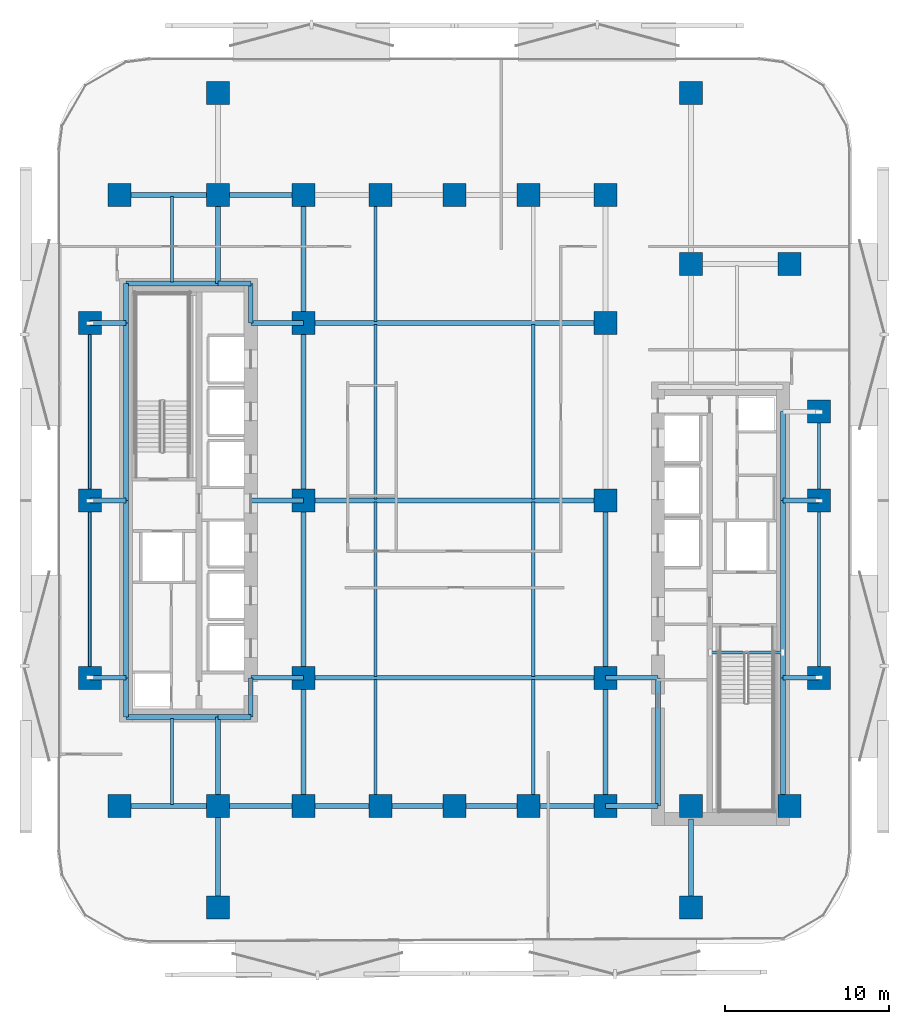
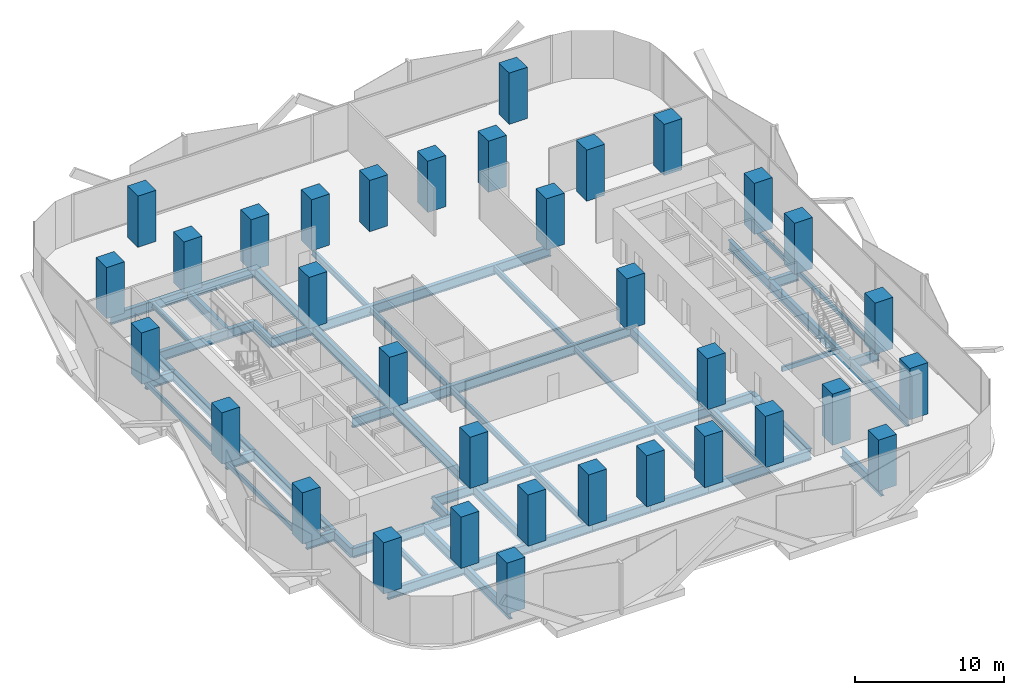
# One storey, part 1 of 15: 59 beams, 34 columns.
"""IFC4 building model written with IfcOpenShell, lengths in metres."""

import ifcopenshell
import ifcopenshell.guid

model = None  # the IFC model being written
_history = None  # IfcOwnerHistory: only IFC2X3 demands one
_inside = {}  # id of a spatial element -> (the spatial element, [elements in it])
_under = {}  # id of a project, library or spatial element -> (it, [spatial elements below it])
_declared = {}  # id of a project -> (the project, [libraries it declares])
_typed = {}  # id of a type object -> (the type object, [elements of that type])
_made_of = {}  # id of a material, layer set ... -> (it, [elements and type objects made of it])


def new_model(schema):
    """Start an empty IFC model of exactly this schema.

    Asked for "IFC4X3", IfcOpenShell would pick the latest addendum, in which some entities
    have other attributes; the version numbers below select the first issue.
    IFC2X3 requires an IfcOwnerHistory on every rooted entity: one is made here for all.
    """
    global model, _history
    if schema == "IFC4X3":
        model = ifcopenshell.file(schema_version=(4, 3, 0, 0))
    else:
        model = ifcopenshell.file(schema=schema)
    _inside.clear()
    _under.clear()
    _declared.clear()
    _typed.clear()
    _made_of.clear()
    _history = None
    if model.schema == "IFC2X3":
        org = make("IfcOrganization", Name="unknown")
        user = make(
            "IfcPersonAndOrganization",
            ThePerson=make("IfcPerson", FamilyName="unknown"),
            TheOrganization=org,
        )
        app = make(
            "IfcApplication",
            ApplicationDeveloper=org,
            Version="unknown",
            ApplicationFullName="unknown",
            ApplicationIdentifier="unknown",
        )
        _history = make(
            "IfcOwnerHistory",
            OwningUser=user,
            OwningApplication=app,
            ChangeAction="ADDED",
            CreationDate=0,
        )
    return model


def make(cls, **values):
    """One entity of the class cls with the attributes given. An attribute that is None is left unset."""
    return model.create_entity(
        cls, **{name: value for name, value in values.items() if value is not None}
    )


def rooted(cls, **values):
    """An entity with a GlobalId (a new one), such as an element, a storey or a relation."""
    return make(cls, GlobalId=ifcopenshell.guid.new(), OwnerHistory=_history, **values)


def si_unit(unit_type, name, prefix=None):
    """IfcSIUnit, for example si_unit("LENGTHUNIT", "METRE", prefix="MILLI")."""
    return make("IfcSIUnit", UnitType=unit_type, Prefix=prefix, Name=name)


def assignment(units):
    """IfcUnitAssignment: the units of a project."""
    return None if units is None else make("IfcUnitAssignment", Units=units)


def point(xyz):
    """IfcCartesianPoint."""
    return None if xyz is None else make("IfcCartesianPoint", Coordinates=xyz)


def direction(xyz):
    """IfcDirection."""
    return None if xyz is None else make("IfcDirection", DirectionRatios=xyz)


def frame(location, z_axis=None, x_axis=None):
    """IfcAxis2Placement3D, a coordinate frame: its origin and axes. An axis left out is left unset."""
    return make(
        "IfcAxis2Placement3D",
        Location=point(location),
        Axis=direction(z_axis),
        RefDirection=direction(x_axis),
    )


def frame_2d(location, x_axis=None):
    """IfcAxis2Placement2D, a coordinate frame in the plane: its origin and x axis."""
    return make(
        "IfcAxis2Placement2D", Location=point(location), RefDirection=direction(x_axis)
    )


def origin():
    """The frame at (0, 0, 0) with its axes left unset."""
    return frame((0.0, 0.0, 0.0))


def origin_2d():
    """The frame at (0, 0) in the plane with its x axis left unset."""
    return frame_2d((0.0, 0.0))


def place(relative_to, where):
    """IfcLocalPlacement: puts the frame where relative to a parent placement (None: the world)."""
    return make(
        "IfcLocalPlacement", PlacementRelTo=relative_to, RelativePlacement=where
    )


def context(
    kind, dimensions, precision=None, world=None, true_north=None, identifier=None
):
    """IfcGeometricRepresentationContext, for example the 3D "Model" context."""
    return make(
        "IfcGeometricRepresentationContext",
        ContextIdentifier=identifier,
        ContextType=kind,
        CoordinateSpaceDimension=dimensions,
        Precision=precision,
        WorldCoordinateSystem=world,
        TrueNorth=true_north,
    )


def subcontext(parent, identifier, kind, view, scale=None):
    """IfcGeometricRepresentationSubContext, for example "Body" below "Model"."""
    return make(
        "IfcGeometricRepresentationSubContext",
        ContextIdentifier=identifier,
        ContextType=kind,
        ParentContext=parent,
        TargetScale=scale,
        TargetView=view,
    )


def project(units=None, contexts=None):
    """IfcProject with its units and contexts."""
    return rooted(
        "IfcProject",
        Name="project",
        RepresentationContexts=contexts,
        UnitsInContext=assignment(units),
    )


def spatial(cls, under=None, at=None, **own):
    """A site, building, storey or space (cls), placed at a placement, below another one or the project."""
    s = rooted(cls, ObjectPlacement=at, **own)
    if under is not None:
        _under.setdefault(under.id(), (under, []))[1].append(s)
    return s


def profile(cls, at=None, kind="AREA", **sizes):
    """A parametric profile (cls). Its sizes go by their IFC names, for example OverallWidth=200.0."""
    return make(cls, ProfileType=kind, Position=at, **sizes)


def rectangle(**sizes):
    """IfcRectangleProfileDef."""
    return profile("IfcRectangleProfileDef", **sizes)


def hollow_rectangle(**sizes):
    """IfcRectangleHollowProfileDef."""
    return profile("IfcRectangleHollowProfileDef", **sizes)


def i_section(**sizes):
    """IfcIShapeProfileDef."""
    return profile("IfcIShapeProfileDef", **sizes)


def extrude(swept, where, along, depth):
    """IfcExtrudedAreaSolid: the profile swept, set in the frame where, extruded along a direction by depth."""
    return make(
        "IfcExtrudedAreaSolid",
        SweptArea=swept,
        Position=where,
        ExtrudedDirection=direction(along),
        Depth=depth,
    )


def shape(context_of_items, identifier, shape_type, items):
    """IfcShapeRepresentation: the items that make up one representation, for example the "Body"."""
    return make(
        "IfcShapeRepresentation",
        ContextOfItems=context_of_items,
        RepresentationIdentifier=identifier,
        RepresentationType=shape_type,
        Items=items,
    )


def material(Name=None, Category=None):
    """IfcMaterial."""
    return make("IfcMaterial", Name=Name, Category=Category)


def material_profile(
    of_material, cross_section, Name=None, Category=None, Priority=None
):
    """IfcMaterialProfile: a cross section and its material."""
    return make(
        "IfcMaterialProfile",
        Name=Name,
        Material=of_material,
        Profile=cross_section,
        Priority=Priority,
        Category=Category,
    )


def profile_set(profiles, Name=None, composite=None):
    """IfcMaterialProfileSet."""
    return make(
        "IfcMaterialProfileSet",
        Name=Name,
        MaterialProfiles=profiles,
        CompositeProfile=composite,
    )


def made_of(thing, what):
    """Note that an element or type object is made of a material, layer set ...; save() writes the relation."""
    if what is not None:
        _made_of.setdefault(what.id(), (what, []))[1].append(thing)
    return thing


def type_object(cls, material=None, **own):
    """A type object (cls), such as IfcWallType, which elements share."""
    return made_of(rooted(cls, **own), material)


def element(
    cls,
    number,
    at=None,
    inside=None,
    cuts=None,
    type_object=None,
    material=None,
    context=None,
    identifier="Body",
    shape_type=None,
    held_by="IfcProductDefinitionShape",
    body=None,
    shapes=None,
    **own,
):
    """One element of the class cls, such as IfcWall. Its Tag is "e" and its number.

    at: its placement. inside: the storey or other place that contains it. cuts: it is an
    opening in that element (IfcRelVoidsElement). A single representation is given by context,
    identifier, shape_type and body (its items); several are given by shapes. held_by: the class
    of the entity that holds the representations. save() writes the other relations.
    """
    e = rooted(cls, Tag="e%d" % number, ObjectPlacement=at, **own)
    if body is not None:
        shapes = [shape(context, identifier, shape_type, body)]
    if shapes is not None:
        e.Representation = make(held_by, Representations=shapes)
    if inside is not None:
        _inside.setdefault(inside.id(), (inside, []))[1].append(e)
    if cuts is not None:
        rooted(
            "IfcRelVoidsElement", RelatingBuildingElement=cuts, RelatedOpeningElement=e
        )
    if type_object is not None:
        _typed.setdefault(type_object.id(), (type_object, []))[1].append(e)
    return made_of(e, material)


def aggregate(whole, parts):
    """IfcRelAggregates: a whole, such as a stair, and the parts it consists of."""
    return rooted("IfcRelAggregates", RelatingObject=whole, RelatedObjects=parts)


def save(model, path):
    """Write the relations noted so far, then the file.

    IfcRelAggregates (storeys below a building ...), IfcRelContainedInSpatialStructure (elements
    in a storey), IfcRelDefinesByType, IfcRelAssociatesMaterial and IfcRelDeclares: one each for
    every whole, place, type object, material and project.
    """
    for whole, parts in _under.values():
        aggregate(whole, parts)
    for where, things in _inside.values():
        rooted(
            "IfcRelContainedInSpatialStructure",
            RelatedElements=things,
            RelatingStructure=where,
        )
    for kind, things in _typed.values():
        rooted("IfcRelDefinesByType", RelatedObjects=things, RelatingType=kind)
    for what, things in _made_of.values():
        rooted("IfcRelAssociatesMaterial", RelatedObjects=things, RelatingMaterial=what)
    for by, libraries in _declared.values():
        rooted("IfcRelDeclares", RelatingContext=by, RelatedDefinitions=libraries)
    model.write(path)


model = new_model("IFC4")

# Units and contexts
model_context = context("Model", 3, precision=1e-05, world=origin(), true_north=direction((0.0, 1.0)))
body_context = subcontext(model_context, "Body", "Model", "MODEL_VIEW")
ifc_project = project(units=[si_unit("LENGTHUNIT", "METRE"), si_unit("AREAUNIT", "SQUARE_METRE"), si_unit("VOLUMEUNIT", "CUBIC_METRE"), si_unit("PLANEANGLEUNIT", "RADIAN"), si_unit("MASSUNIT", "GRAM", prefix="KILO")], contexts=[model_context])

# Site, building, storey
site_placement = place(None, origin())
site = spatial("IfcSite", under=ifc_project, at=site_placement, CompositionType="ELEMENT")
building_placement = place(site_placement, origin())
building = spatial("IfcBuilding", under=site, at=building_placement, Name="Khairoan Windgate Tower", CompositionType="ELEMENT")
storey_placement = place(building_placement, frame((0.0, 0.0, 34.39990234375)))
storey = spatial("IfcBuildingStorey", under=building, at=storey_placement, Name="L08", CompositionType="ELEMENT", Elevation=34.39990234375)

# Columns
ifc_material_1 = material(Name="Concrete C60/75", Category="concrete")
ifc_material_profile_1 = material_profile(ifc_material_1, rectangle(XDim=1.39990234375, YDim=1.39990234375, at=origin_2d()))
ifc_profile_set_1 = profile_set([ifc_material_profile_1], Name="Concrete C60/75")
column_type = type_object("IfcColumnType", Name="Column C-T2 RC1400x1400", PredefinedType="COLUMN", material=ifc_profile_set_1)
for number, where, z_axis, x_axis, name in (
    (1, (-9.199951171875, -18.60009765625, 0.0), (0.0, 0.0, 1.0), (1.0, 0.0, 0.0), "Column L08-01"),
    (2, (-9.199951171875, -10.800048828125, 0.0), (0.0, 0.0, 1.0), (1.0, 0.0, 0.0), "Column L08-02"),
    (3, (-9.199951171875, 0.0, 0.0), (0.0, 0.0, 1.0), (1.0, 0.0, 0.0), "Column L08-03"),
    (4, (-9.199951171875, 10.800048828125, 0.0), (0.0, 0.0, 1.0), (1.0, 0.0, 0.0), "Column L08-04"),
    (5, (-9.199951171875, 18.60009765625, 0.0), (0.0, 0.0, 1.0), (1.0, 0.0, 0.0), "Column L08-05"),
    (6, (9.199951171875, -18.60009765625, 0.0), (0.0, 0.0, 1.0), (1.0, 0.0, 0.0), "Column L08-06"),
    (7, (9.199951171875, -10.800048828125, 0.0), (0.0, 0.0, 1.0), (1.0, 0.0, 0.0), "Column L08-07"),
    (8, (9.199951171875, 0.0, 0.0), (0.0, 0.0, 1.0), (1.0, 0.0, 0.0), "Column L08-08"),
    (9, (9.199951171875, 10.800048828125, 0.0), (0.0, 0.0, 1.0), (1.0, 0.0, 0.0), "Column L08-09"),
    (10, (9.199951171875, 18.60009765625, 0.0), (0.0, 0.0, 1.0), (1.0, 0.0, 0.0), "Column L08-10"),
    (11, (-20.39990234375, -18.60009765625, 0.0), (0.0, 0.0, 1.0), (1.0, 0.0, 0.0), "Column L08-11"),
    (12, (-20.39990234375, 18.60009765625, 0.0), (0.0, 0.0, 1.0), (1.0, 0.0, 0.0), "Column L08-12"),
    (13, (20.39990234375, -18.60009765625, 0.0), (0.0, 0.0, 1.0), (1.0, 0.0, 0.0), "Column L08-13"),
    (14, (20.39990234375, 14.39990234375, 0.0), (0.0, 0.0, 1.0), (1.0, 0.0, 0.0), "Column L08-14"),
    (15, (-14.39990234375, -18.60009765625, 0.0), (0.0, 0.0, 1.0), (1.0, 0.0, 0.0), "Column L08-15"),
    (16, (-14.39990234375, 18.60009765625, 0.0), (0.0, 0.0, 1.0), (1.0, 0.0, 0.0), "Column L08-16"),
    (17, (14.39990234375, -18.60009765625, 0.0), (0.0, 0.0, 1.0), (1.0, 0.0, 0.0), "Column L08-17"),
    (18, (14.39990234375, 14.39990234375, 0.0), (0.0, 0.0, 1.0), (1.0, 0.0, 0.0), "Column L08-18"),
    (19, (-4.5, -18.60009765625, 0.0), (0.0, 0.0, 1.0), (1.0, 0.0, 0.0), "Column L08-19"),
    (20, (0.0, -18.60009765625, 0.0), (0.0, 0.0, 1.0), (1.0, 0.0, 0.0), "Column L08-20"),
    (21, (4.5, -18.60009765625, 0.0), (0.0, 0.0, 1.0), (1.0, 0.0, 0.0), "Column L08-21"),
    (22, (-4.5, 18.60009765625, 0.0), (0.0, 0.0, 1.0), (1.0, 0.0, 0.0), "Column L08-22"),
    (23, (0.0, 18.60009765625, 0.0), (0.0, 0.0, 1.0), (1.0, 0.0, 0.0), "Column L08-23"),
    (24, (4.5, 18.60009765625, 0.0), (0.0, 0.0, 1.0), (1.0, 0.0, 0.0), "Column L08-24"),
    (25, (-22.199951171875, -10.800048828125, 0.0), (0.0, 0.0, 1.0), (1.0, 0.0, 0.0), "Column L08-25"),
    (26, (-22.199951171875, 0.0, 0.0), (0.0, 0.0, 1.0), (1.0, 0.0, 0.0), "Column L08-26"),
    (27, (-22.199951171875, 10.800048828125, 0.0), (0.0, 0.0, 1.0), (1.0, 0.0, 0.0), "Column L08-27"),
    (28, (22.199951171875, -10.800048828125, 0.0), (0.0, 0.0, 1.0), (1.0, 0.0, 0.0), "Column L08-28"),
    (29, (22.199951171875, 0.0, 0.0), (0.0, 0.0, 1.0), (1.0, 0.0, 0.0), "Column L08-29"),
    (30, (22.199951171875, 5.39990234375, 0.0), (0.0, 0.0, 1.0), (1.0, 0.0, 0.0), "Column L08-30"),
    (31, (-14.39990234375, -24.800048828125, 0.0), (0.0, 0.0, 1.0), (1.0, 0.0, 0.0), "Column L08-31"),
    (32, (-14.39990234375, 24.800048828125, 0.0), (0.0, 0.0, 1.0), (1.0, 0.0, 0.0), "Column L08-32"),
    (33, (14.39990234375, -24.800048828125, 0.0), (0.0, 0.0, 1.0), (1.0, 0.0, 0.0), "Column L08-33"),
    (34, (14.39990234375, 24.800048828125, 0.0), (0.0, 0.0, 1.0), (1.0, 0.0, 0.0), "Column L08-34"),
):
    element("IfcColumn", number, at=place(storey_placement, frame(where, z_axis=z_axis, x_axis=x_axis)), inside=storey, type_object=column_type, Name=name, PredefinedType="COLUMN", context=body_context, shape_type="SweptSolid", body=[
        extrude(rectangle(XDim=1.39990234375, YDim=1.39990234375, at=origin_2d()), origin(), (0.0, 0.0, 1.0), 4.2001953125),
    ])

# Beams
ifc_material_2 = material(Name="Steel S355", Category="steel")
ifc_material_profile_2 = material_profile(ifc_material_2, i_section(OverallWidth=0.300048828125, OverallDepth=0.800048828125, WebThickness=0.013916015625, FlangeThickness=0.02587890625, FilletRadius=0.028076171875, at=origin_2d()))
ifc_profile_set_2 = profile_set([ifc_material_profile_2], Name="Steel S355")
beam_type_1 = type_object("IfcBeamType", Name="Beam B-G2 H800x300x14x26", PredefinedType="BEAM", material=ifc_profile_set_2)
beam_1_placement = place(storey_placement, frame((-20.39990234375, -18.60009765625, -0.659912109375), z_axis=(1.0, 0.0, 0.0), x_axis=(0.0, 1.0, 0.0)))
element("IfcBeam", 35, at=beam_1_placement, inside=storey, type_object=beam_type_1, Name="L08 E-W Primary Girder 01", PredefinedType="BEAM", context=body_context, shape_type="SweptSolid", body=[
    extrude(i_section(OverallWidth=0.300048828125, OverallDepth=0.800048828125, WebThickness=0.013916015625, FlangeThickness=0.02587890625, FilletRadius=0.028076171875, at=origin_2d()), origin(), (0.0, 0.0, 1.0), 6.0),
])
beam_2_placement = place(storey_placement, frame((-14.39990234375, -18.60009765625, -0.659912109375), z_axis=(1.0, 0.0, 0.0), x_axis=(0.0, 1.0, 0.0)))
element("IfcBeam", 36, at=beam_2_placement, inside=storey, type_object=beam_type_1, Name="L08 E-W Primary Girder 02", PredefinedType="BEAM", context=body_context, shape_type="SweptSolid", body=[
    extrude(i_section(OverallWidth=0.300048828125, OverallDepth=0.800048828125, WebThickness=0.013916015625, FlangeThickness=0.02587890625, FilletRadius=0.028076171875, at=origin_2d()), origin(), (0.0, 0.0, 1.0), 5.199951171875),
])
beam_3_placement = place(storey_placement, frame((-9.199951171875, -18.60009765625, -0.659912109375), z_axis=(1.0, 0.0, 0.0), x_axis=(0.0, 1.0, 0.0)))
element("IfcBeam", 37, at=beam_3_placement, inside=storey, type_object=beam_type_1, Name="L08 E-W Primary Girder 03", PredefinedType="BEAM", context=body_context, shape_type="SweptSolid", body=[
    extrude(i_section(OverallWidth=0.300048828125, OverallDepth=0.800048828125, WebThickness=0.013916015625, FlangeThickness=0.02587890625, FilletRadius=0.028076171875, at=origin_2d()), origin(), (0.0, 0.0, 1.0), 4.699951171875),
])
for number, where, z_axis, x_axis, name in (
    (38, (-4.5, -18.60009765625, -0.659912109375), (1.0, 0.0, 0.0), (0.0, 1.0, 0.0), "L08 E-W Primary Girder 04"),
    (39, (0.0, -18.60009765625, -0.659912109375), (1.0, 0.0, 0.0), (0.0, 1.0, 0.0), "L08 E-W Primary Girder 05"),
):
    element("IfcBeam", number, at=place(storey_placement, frame(where, z_axis=z_axis, x_axis=x_axis)), inside=storey, type_object=beam_type_1, Name=name, PredefinedType="BEAM", context=body_context, shape_type="SweptSolid", body=[
        extrude(i_section(OverallWidth=0.300048828125, OverallDepth=0.800048828125, WebThickness=0.013916015625, FlangeThickness=0.02587890625, FilletRadius=0.028076171875, at=origin_2d()), origin(), (0.0, 0.0, 1.0), 4.5),
    ])
beam_4_placement = place(storey_placement, frame((4.5, -18.60009765625, -0.659912109375), z_axis=(1.0, 0.0, 0.0), x_axis=(0.0, 1.0, 0.0)))
element("IfcBeam", 40, at=beam_4_placement, inside=storey, type_object=beam_type_1, Name="L08 E-W Primary Girder 06", PredefinedType="BEAM", context=body_context, shape_type="SweptSolid", body=[
    extrude(i_section(OverallWidth=0.300048828125, OverallDepth=0.800048828125, WebThickness=0.013916015625, FlangeThickness=0.02587890625, FilletRadius=0.028076171875, at=origin_2d()), origin(), (0.0, 0.0, 1.0), 4.699951171875),
])
beam_5_placement = place(storey_placement, frame((9.199951171875, -18.60009765625, -0.659912109375), z_axis=(1.0, 0.0, 0.0), x_axis=(0.0, 1.0, 0.0)))
element("IfcBeam", 41, at=beam_5_placement, inside=storey, type_object=beam_type_1, Name="L08 E-W Primary Girder 07", PredefinedType="BEAM", context=body_context, shape_type="SweptSolid", body=[
    extrude(i_section(OverallWidth=0.300048828125, OverallDepth=0.800048828125, WebThickness=0.013916015625, FlangeThickness=0.02587890625, FilletRadius=0.028076171875, at=origin_2d()), origin(), (0.0, 0.0, 1.0), 3.199951171875),
])
beam_6_placement = place(storey_placement, frame((-20.0, -13.199951171875, -0.659912109375), z_axis=(1.0, 0.0, 0.0), x_axis=(0.0, 1.0, 0.0)))
element("IfcBeam", 42, at=beam_6_placement, inside=storey, type_object=beam_type_1, Name="L08 E-W Primary Girder 08", PredefinedType="BEAM", context=body_context, shape_type="SweptSolid", body=[
    extrude(i_section(OverallWidth=0.300048828125, OverallDepth=0.800048828125, WebThickness=0.013916015625, FlangeThickness=0.02587890625, FilletRadius=0.028076171875, at=origin_2d()), origin(), (0.0, 0.0, 1.0), 5.60009765625),
])
beam_7_placement = place(storey_placement, frame((-14.39990234375, -13.199951171875, -0.659912109375), z_axis=(1.0, 0.0, 0.0), x_axis=(0.0, 1.0, 0.0)))
element("IfcBeam", 43, at=beam_7_placement, inside=storey, type_object=beam_type_1, Name="L08 E-W Primary Girder 09", PredefinedType="BEAM", context=body_context, shape_type="SweptSolid", body=[
    extrude(i_section(OverallWidth=0.300048828125, OverallDepth=0.800048828125, WebThickness=0.013916015625, FlangeThickness=0.02587890625, FilletRadius=0.028076171875, at=origin_2d()), origin(), (0.0, 0.0, 1.0), 2.0),
])
beam_8_placement = place(storey_placement, frame((-22.199951171875, -10.800048828125, -0.659912109375), z_axis=(1.0, 0.0, 0.0), x_axis=(0.0, 1.0, 0.0)))
element("IfcBeam", 44, at=beam_8_placement, inside=storey, type_object=beam_type_1, Name="L08 E-W Primary Girder 10", PredefinedType="BEAM", context=body_context, shape_type="SweptSolid", body=[
    extrude(i_section(OverallWidth=0.300048828125, OverallDepth=0.800048828125, WebThickness=0.013916015625, FlangeThickness=0.02587890625, FilletRadius=0.028076171875, at=origin_2d()), origin(), (0.0, 0.0, 1.0), 2.199951171875),
])
beam_9_placement = place(storey_placement, frame((-12.39990234375, -10.800048828125, -0.659912109375), z_axis=(1.0, 0.0, 0.0), x_axis=(0.0, 1.0, 0.0)))
element("IfcBeam", 45, at=beam_9_placement, inside=storey, type_object=beam_type_1, Name="L08 E-W Primary Girder 11", PredefinedType="BEAM", context=body_context, shape_type="SweptSolid", body=[
    extrude(i_section(OverallWidth=0.300048828125, OverallDepth=0.800048828125, WebThickness=0.013916015625, FlangeThickness=0.02587890625, FilletRadius=0.028076171875, at=origin_2d()), origin(), (0.0, 0.0, 1.0), 3.199951171875),
])
beam_10_placement = place(storey_placement, frame((-9.199951171875, -10.800048828125, -0.659912109375), z_axis=(1.0, 0.0, 0.0), x_axis=(0.0, 1.0, 0.0)))
element("IfcBeam", 46, at=beam_10_placement, inside=storey, type_object=beam_type_1, Name="L08 E-W Primary Girder 12", PredefinedType="BEAM", context=body_context, shape_type="SweptSolid", body=[
    extrude(i_section(OverallWidth=0.300048828125, OverallDepth=0.800048828125, WebThickness=0.013916015625, FlangeThickness=0.02587890625, FilletRadius=0.028076171875, at=origin_2d()), origin(), (0.0, 0.0, 1.0), 18.39990234375),
])
beam_11_placement = place(storey_placement, frame((9.199951171875, -10.800048828125, -0.659912109375), z_axis=(1.0, 0.0, 0.0), x_axis=(0.0, 1.0, 0.0)))
element("IfcBeam", 47, at=beam_11_placement, inside=storey, type_object=beam_type_1, Name="L08 E-W Primary Girder 13", PredefinedType="BEAM", context=body_context, shape_type="SweptSolid", body=[
    extrude(i_section(OverallWidth=0.300048828125, OverallDepth=0.800048828125, WebThickness=0.013916015625, FlangeThickness=0.02587890625, FilletRadius=0.028076171875, at=origin_2d()), origin(), (0.0, 0.0, 1.0), 3.199951171875),
])
for number, where, z_axis, x_axis, name in (
    (48, (20.0, -10.800048828125, -0.659912109375), (1.0, 0.0, 0.0), (0.0, 1.0, 0.0), "L08 E-W Primary Girder 14"),
    (49, (-22.199951171875, 0.0, -0.659912109375), (1.0, 0.0, 0.0), (0.0, 1.0, 0.0), "L08 E-W Primary Girder 15"),
):
    element("IfcBeam", number, at=place(storey_placement, frame(where, z_axis=z_axis, x_axis=x_axis)), inside=storey, type_object=beam_type_1, Name=name, PredefinedType="BEAM", context=body_context, shape_type="SweptSolid", body=[
        extrude(i_section(OverallWidth=0.300048828125, OverallDepth=0.800048828125, WebThickness=0.013916015625, FlangeThickness=0.02587890625, FilletRadius=0.028076171875, at=origin_2d()), origin(), (0.0, 0.0, 1.0), 2.199951171875),
    ])
beam_12_placement = place(storey_placement, frame((-12.39990234375, 0.0, -0.659912109375), z_axis=(1.0, 0.0, 0.0), x_axis=(0.0, 1.0, 0.0)))
element("IfcBeam", 50, at=beam_12_placement, inside=storey, type_object=beam_type_1, Name="L08 E-W Primary Girder 16", PredefinedType="BEAM", context=body_context, shape_type="SweptSolid", body=[
    extrude(i_section(OverallWidth=0.300048828125, OverallDepth=0.800048828125, WebThickness=0.013916015625, FlangeThickness=0.02587890625, FilletRadius=0.028076171875, at=origin_2d()), origin(), (0.0, 0.0, 1.0), 3.199951171875),
])
beam_13_placement = place(storey_placement, frame((-9.199951171875, 0.0, -0.659912109375), z_axis=(1.0, 0.0, 0.0), x_axis=(0.0, 1.0, 0.0)))
element("IfcBeam", 51, at=beam_13_placement, inside=storey, type_object=beam_type_1, Name="L08 E-W Primary Girder 17", PredefinedType="BEAM", context=body_context, shape_type="SweptSolid", body=[
    extrude(i_section(OverallWidth=0.300048828125, OverallDepth=0.800048828125, WebThickness=0.013916015625, FlangeThickness=0.02587890625, FilletRadius=0.028076171875, at=origin_2d()), origin(), (0.0, 0.0, 1.0), 18.39990234375),
])
for number, where, z_axis, x_axis, name in (
    (52, (20.0, 0.0, -0.659912109375), (1.0, 0.0, 0.0), (0.0, 1.0, 0.0), "L08 E-W Primary Girder 18"),
    (53, (-22.199951171875, 10.800048828125, -0.659912109375), (1.0, 0.0, 0.0), (0.0, 1.0, 0.0), "L08 E-W Primary Girder 22"),
):
    element("IfcBeam", number, at=place(storey_placement, frame(where, z_axis=z_axis, x_axis=x_axis)), inside=storey, type_object=beam_type_1, Name=name, PredefinedType="BEAM", context=body_context, shape_type="SweptSolid", body=[
        extrude(i_section(OverallWidth=0.300048828125, OverallDepth=0.800048828125, WebThickness=0.013916015625, FlangeThickness=0.02587890625, FilletRadius=0.028076171875, at=origin_2d()), origin(), (0.0, 0.0, 1.0), 2.199951171875),
    ])
beam_14_placement = place(storey_placement, frame((-12.39990234375, 10.800048828125, -0.659912109375), z_axis=(1.0, 0.0, 0.0), x_axis=(0.0, 1.0, 0.0)))
element("IfcBeam", 54, at=beam_14_placement, inside=storey, type_object=beam_type_1, Name="L08 E-W Primary Girder 23", PredefinedType="BEAM", context=body_context, shape_type="SweptSolid", body=[
    extrude(i_section(OverallWidth=0.300048828125, OverallDepth=0.800048828125, WebThickness=0.013916015625, FlangeThickness=0.02587890625, FilletRadius=0.028076171875, at=origin_2d()), origin(), (0.0, 0.0, 1.0), 3.199951171875),
])
beam_15_placement = place(storey_placement, frame((-9.199951171875, 10.800048828125, -0.659912109375), z_axis=(1.0, 0.0, 0.0), x_axis=(0.0, 1.0, 0.0)))
element("IfcBeam", 55, at=beam_15_placement, inside=storey, type_object=beam_type_1, Name="L08 E-W Primary Girder 24", PredefinedType="BEAM", context=body_context, shape_type="SweptSolid", body=[
    extrude(i_section(OverallWidth=0.300048828125, OverallDepth=0.800048828125, WebThickness=0.013916015625, FlangeThickness=0.02587890625, FilletRadius=0.028076171875, at=origin_2d()), origin(), (0.0, 0.0, 1.0), 18.39990234375),
])
beam_16_placement = place(storey_placement, frame((-20.0, 13.199951171875, -0.659912109375), z_axis=(1.0, 0.0, 0.0), x_axis=(0.0, 1.0, 0.0)))
element("IfcBeam", 56, at=beam_16_placement, inside=storey, type_object=beam_type_1, Name="L08 E-W Primary Girder 25", PredefinedType="BEAM", context=body_context, shape_type="SweptSolid", body=[
    extrude(i_section(OverallWidth=0.300048828125, OverallDepth=0.800048828125, WebThickness=0.013916015625, FlangeThickness=0.02587890625, FilletRadius=0.028076171875, at=origin_2d()), origin(), (0.0, 0.0, 1.0), 5.60009765625),
])
beam_17_placement = place(storey_placement, frame((-14.39990234375, 13.199951171875, -0.659912109375), z_axis=(1.0, 0.0, 0.0), x_axis=(0.0, 1.0, 0.0)))
element("IfcBeam", 57, at=beam_17_placement, inside=storey, type_object=beam_type_1, Name="L08 E-W Primary Girder 26", PredefinedType="BEAM", context=body_context, shape_type="SweptSolid", body=[
    extrude(i_section(OverallWidth=0.300048828125, OverallDepth=0.800048828125, WebThickness=0.013916015625, FlangeThickness=0.02587890625, FilletRadius=0.028076171875, at=origin_2d()), origin(), (0.0, 0.0, 1.0), 2.0),
])
beam_18_placement = place(storey_placement, frame((-20.39990234375, 18.60009765625, -0.659912109375), z_axis=(1.0, 0.0, 0.0), x_axis=(0.0, 1.0, 0.0)))
element("IfcBeam", 58, at=beam_18_placement, inside=storey, type_object=beam_type_1, Name="L08 E-W Primary Girder 28", PredefinedType="BEAM", context=body_context, shape_type="SweptSolid", body=[
    extrude(i_section(OverallWidth=0.300048828125, OverallDepth=0.800048828125, WebThickness=0.013916015625, FlangeThickness=0.02587890625, FilletRadius=0.028076171875, at=origin_2d()), origin(), (0.0, 0.0, 1.0), 6.0),
])
beam_19_placement = place(storey_placement, frame((-14.39990234375, 18.60009765625, -0.659912109375), z_axis=(1.0, 0.0, 0.0), x_axis=(0.0, 1.0, 0.0)))
element("IfcBeam", 59, at=beam_19_placement, inside=storey, type_object=beam_type_1, Name="L08 E-W Primary Girder 29", PredefinedType="BEAM", context=body_context, shape_type="SweptSolid", body=[
    extrude(i_section(OverallWidth=0.300048828125, OverallDepth=0.800048828125, WebThickness=0.013916015625, FlangeThickness=0.02587890625, FilletRadius=0.028076171875, at=origin_2d()), origin(), (0.0, 0.0, 1.0), 5.199951171875),
])
beam_20_placement = place(storey_placement, frame((-20.0, -13.199951171875, -0.659912109375), z_axis=(0.0, 1.0, 0.0), x_axis=(-1.0, 0.0, 0.0)))
element("IfcBeam", 60, at=beam_20_placement, inside=storey, type_object=beam_type_1, Name="L08 N-S Primary Beam 36", PredefinedType="BEAM", context=body_context, shape_type="SweptSolid", body=[
    extrude(i_section(OverallWidth=0.300048828125, OverallDepth=0.800048828125, WebThickness=0.013916015625, FlangeThickness=0.02587890625, FilletRadius=0.028076171875, at=origin_2d()), origin(), (0.0, 0.0, 1.0), 2.39990234375),
])
for number, where, z_axis, x_axis, name in (
    (61, (-20.0, -10.800048828125, -0.659912109375), (0.0, 1.0, 0.0), (-1.0, 0.0, 0.0), "L08 N-S Primary Beam 37"),
    (62, (-20.0, 0.0, -0.659912109375), (0.0, 1.0, 0.0), (-1.0, 0.0, 0.0), "L08 N-S Primary Beam 38"),
):
    element("IfcBeam", number, at=place(storey_placement, frame(where, z_axis=z_axis, x_axis=x_axis)), inside=storey, type_object=beam_type_1, Name=name, PredefinedType="BEAM", context=body_context, shape_type="SweptSolid", body=[
        extrude(i_section(OverallWidth=0.300048828125, OverallDepth=0.800048828125, WebThickness=0.013916015625, FlangeThickness=0.02587890625, FilletRadius=0.028076171875, at=origin_2d()), origin(), (0.0, 0.0, 1.0), 10.800048828125),
    ])
beam_21_placement = place(storey_placement, frame((-20.0, 10.800048828125, -0.659912109375), z_axis=(0.0, 1.0, 0.0), x_axis=(-1.0, 0.0, 0.0)))
element("IfcBeam", 63, at=beam_21_placement, inside=storey, type_object=beam_type_1, Name="L08 N-S Primary Beam 39", PredefinedType="BEAM", context=body_context, shape_type="SweptSolid", body=[
    extrude(i_section(OverallWidth=0.300048828125, OverallDepth=0.800048828125, WebThickness=0.013916015625, FlangeThickness=0.02587890625, FilletRadius=0.028076171875, at=origin_2d()), origin(), (0.0, 0.0, 1.0), 2.39990234375),
])
beam_22_placement = place(storey_placement, frame((-14.39990234375, -24.800048828125, -0.659912109375), z_axis=(0.0, 1.0, 0.0), x_axis=(-1.0, 0.0, 0.0)))
element("IfcBeam", 64, at=beam_22_placement, inside=storey, type_object=beam_type_1, Name="L08 N-S Primary Beam 40", PredefinedType="BEAM", context=body_context, shape_type="SweptSolid", body=[
    extrude(i_section(OverallWidth=0.300048828125, OverallDepth=0.800048828125, WebThickness=0.013916015625, FlangeThickness=0.02587890625, FilletRadius=0.028076171875, at=origin_2d()), origin(), (0.0, 0.0, 1.0), 6.199951171875),
])
for number, where, z_axis, x_axis, name in (
    (65, (-14.39990234375, -18.60009765625, -0.659912109375), (0.0, 1.0, 0.0), (-1.0, 0.0, 0.0), "L08 N-S Primary Beam 41"),
    (66, (-14.39990234375, 13.199951171875, -0.659912109375), (0.0, 1.0, 0.0), (-1.0, 0.0, 0.0), "L08 N-S Primary Beam 42"),
):
    element("IfcBeam", number, at=place(storey_placement, frame(where, z_axis=z_axis, x_axis=x_axis)), inside=storey, type_object=beam_type_1, Name=name, PredefinedType="BEAM", context=body_context, shape_type="SweptSolid", body=[
        extrude(i_section(OverallWidth=0.300048828125, OverallDepth=0.800048828125, WebThickness=0.013916015625, FlangeThickness=0.02587890625, FilletRadius=0.028076171875, at=origin_2d()), origin(), (0.0, 0.0, 1.0), 5.400146484375),
    ])
for number, where, z_axis, x_axis, name in (
    (67, (-12.39990234375, -13.199951171875, -0.659912109375), (0.0, 1.0, 0.0), (-1.0, 0.0, 0.0), "L08 N-S Primary Beam 44"),
    (68, (-12.39990234375, 10.800048828125, -0.659912109375), (0.0, 1.0, 0.0), (-1.0, 0.0, 0.0), "L08 N-S Primary Beam 45"),
):
    element("IfcBeam", number, at=place(storey_placement, frame(where, z_axis=z_axis, x_axis=x_axis)), inside=storey, type_object=beam_type_1, Name=name, PredefinedType="BEAM", context=body_context, shape_type="SweptSolid", body=[
        extrude(i_section(OverallWidth=0.300048828125, OverallDepth=0.800048828125, WebThickness=0.013916015625, FlangeThickness=0.02587890625, FilletRadius=0.028076171875, at=origin_2d()), origin(), (0.0, 0.0, 1.0), 2.39990234375),
    ])
beam_23_placement = place(storey_placement, frame((-9.199951171875, -18.60009765625, -0.659912109375), z_axis=(0.0, 1.0, 0.0), x_axis=(-1.0, 0.0, 0.0)))
element("IfcBeam", 69, at=beam_23_placement, inside=storey, type_object=beam_type_1, Name="L08 N-S Primary Beam 46", PredefinedType="BEAM", context=body_context, shape_type="SweptSolid", body=[
    extrude(i_section(OverallWidth=0.300048828125, OverallDepth=0.800048828125, WebThickness=0.013916015625, FlangeThickness=0.02587890625, FilletRadius=0.028076171875, at=origin_2d()), origin(), (0.0, 0.0, 1.0), 7.800048828125),
])
for number, where, z_axis, x_axis, name in (
    (70, (-9.199951171875, -10.800048828125, -0.659912109375), (0.0, 1.0, 0.0), (-1.0, 0.0, 0.0), "L08 N-S Primary Beam 47"),
    (71, (-9.199951171875, 0.0, -0.659912109375), (0.0, 1.0, 0.0), (-1.0, 0.0, 0.0), "L08 N-S Primary Beam 48"),
):
    element("IfcBeam", number, at=place(storey_placement, frame(where, z_axis=z_axis, x_axis=x_axis)), inside=storey, type_object=beam_type_1, Name=name, PredefinedType="BEAM", context=body_context, shape_type="SweptSolid", body=[
        extrude(i_section(OverallWidth=0.300048828125, OverallDepth=0.800048828125, WebThickness=0.013916015625, FlangeThickness=0.02587890625, FilletRadius=0.028076171875, at=origin_2d()), origin(), (0.0, 0.0, 1.0), 10.800048828125),
    ])
for number, where, z_axis, x_axis, name in (
    (72, (-9.199951171875, 10.800048828125, -0.659912109375), (0.0, 1.0, 0.0), (-1.0, 0.0, 0.0), "L08 N-S Primary Beam 49"),
    (73, (9.199951171875, -18.60009765625, -0.659912109375), (0.0, 1.0, 0.0), (-1.0, 0.0, 0.0), "L08 N-S Primary Beam 50"),
):
    element("IfcBeam", number, at=place(storey_placement, frame(where, z_axis=z_axis, x_axis=x_axis)), inside=storey, type_object=beam_type_1, Name=name, PredefinedType="BEAM", context=body_context, shape_type="SweptSolid", body=[
        extrude(i_section(OverallWidth=0.300048828125, OverallDepth=0.800048828125, WebThickness=0.013916015625, FlangeThickness=0.02587890625, FilletRadius=0.028076171875, at=origin_2d()), origin(), (0.0, 0.0, 1.0), 7.800048828125),
    ])
beam_24_placement = place(storey_placement, frame((9.199951171875, -10.800048828125, -0.659912109375), z_axis=(0.0, 1.0, 0.0), x_axis=(-1.0, 0.0, 0.0)))
element("IfcBeam", 74, at=beam_24_placement, inside=storey, type_object=beam_type_1, Name="L08 N-S Primary Beam 51", PredefinedType="BEAM", context=body_context, shape_type="SweptSolid", body=[
    extrude(i_section(OverallWidth=0.300048828125, OverallDepth=0.800048828125, WebThickness=0.013916015625, FlangeThickness=0.02587890625, FilletRadius=0.028076171875, at=origin_2d()), origin(), (0.0, 0.0, 1.0), 10.800048828125),
])
beam_25_placement = place(storey_placement, frame((12.39990234375, -18.60009765625, -0.659912109375), z_axis=(0.0, 1.0, 0.0), x_axis=(-1.0, 0.0, 0.0)))
element("IfcBeam", 75, at=beam_25_placement, inside=storey, type_object=beam_type_1, Name="L08 N-S Primary Beam 54", PredefinedType="BEAM", context=body_context, shape_type="SweptSolid", body=[
    extrude(i_section(OverallWidth=0.300048828125, OverallDepth=0.800048828125, WebThickness=0.013916015625, FlangeThickness=0.02587890625, FilletRadius=0.028076171875, at=origin_2d()), origin(), (0.0, 0.0, 1.0), 7.800048828125),
])
beam_26_placement = place(storey_placement, frame((14.39990234375, -24.800048828125, -0.659912109375), z_axis=(0.0, 1.0, 0.0), x_axis=(-1.0, 0.0, 0.0)))
element("IfcBeam", 76, at=beam_26_placement, inside=storey, type_object=beam_type_1, Name="L08 N-S Primary Beam 55", PredefinedType="BEAM", context=body_context, shape_type="SweptSolid", body=[
    extrude(i_section(OverallWidth=0.300048828125, OverallDepth=0.800048828125, WebThickness=0.013916015625, FlangeThickness=0.02587890625, FilletRadius=0.028076171875, at=origin_2d()), origin(), (0.0, 0.0, 1.0), 5.400146484375),
])
beam_27_placement = place(storey_placement, frame((20.0, -18.60009765625, -0.659912109375), z_axis=(0.0, 1.0, 0.0), x_axis=(-1.0, 0.0, 0.0)))
element("IfcBeam", 77, at=beam_27_placement, inside=storey, type_object=beam_type_1, Name="L08 N-S Primary Beam 58", PredefinedType="BEAM", context=body_context, shape_type="SweptSolid", body=[
    extrude(i_section(OverallWidth=0.300048828125, OverallDepth=0.800048828125, WebThickness=0.013916015625, FlangeThickness=0.02587890625, FilletRadius=0.028076171875, at=origin_2d()), origin(), (0.0, 0.0, 1.0), 7.800048828125),
])
beam_28_placement = place(storey_placement, frame((20.0, -10.800048828125, -0.659912109375), z_axis=(0.0, 1.0, 0.0), x_axis=(-1.0, 0.0, 0.0)))
element("IfcBeam", 78, at=beam_28_placement, inside=storey, type_object=beam_type_1, Name="L08 N-S Primary Beam 59", PredefinedType="BEAM", context=body_context, shape_type="SweptSolid", body=[
    extrude(i_section(OverallWidth=0.300048828125, OverallDepth=0.800048828125, WebThickness=0.013916015625, FlangeThickness=0.02587890625, FilletRadius=0.028076171875, at=origin_2d()), origin(), (0.0, 0.0, 1.0), 10.800048828125),
])
beam_29_placement = place(storey_placement, frame((20.0, 0.0, -0.659912109375), z_axis=(0.0, 1.0, 0.0), x_axis=(-1.0, 0.0, 0.0)))
element("IfcBeam", 79, at=beam_29_placement, inside=storey, type_object=beam_type_1, Name="L08 N-S Primary Beam 60", PredefinedType="BEAM", context=body_context, shape_type="SweptSolid", body=[
    extrude(i_section(OverallWidth=0.300048828125, OverallDepth=0.800048828125, WebThickness=0.013916015625, FlangeThickness=0.02587890625, FilletRadius=0.028076171875, at=origin_2d()), origin(), (0.0, 0.0, 1.0), 5.39990234375),
])
ifc_material_3 = material(Name="Steel S355", Category="steel")
ifc_material_profile_3 = material_profile(ifc_material_3, i_section(OverallWidth=0.199951171875, OverallDepth=0.5, WebThickness=0.010009765625, FlangeThickness=0.01611328125, FilletRadius=0.02001953125, at=origin_2d()))
ifc_profile_set_3 = profile_set([ifc_material_profile_3], Name="Steel S355")
beam_type_2 = type_object("IfcBeamType", Name="Beam J-S2 H500x200x10x16", PredefinedType="JOIST", material=ifc_profile_set_3)
for number, where, z_axis, x_axis, name in (
    (80, (-17.199951171875, -18.510009765625, -0.510009765625), (0.0, 1.0, 0.0), (-1.0, 0.0, 0.0), "L08 Secondary Floor Joist 01"),
    (81, (-17.199951171875, 13.2900390625, -0.510009765625), (0.0, 1.0, 0.0), (-1.0, 0.0, 0.0), "L08 Secondary Floor Joist 02"),
):
    element("IfcBeam", number, at=place(storey_placement, frame(where, z_axis=z_axis, x_axis=x_axis)), inside=storey, type_object=beam_type_2, Name=name, PredefinedType="JOIST", context=body_context, shape_type="SweptSolid", body=[
        extrude(i_section(OverallWidth=0.199951171875, OverallDepth=0.5, WebThickness=0.010009765625, FlangeThickness=0.01611328125, FilletRadius=0.02001953125, at=origin_2d()), origin(), (0.0, 0.0, 1.0), 5.219970703125),
    ])
beam_30_placement = place(storey_placement, frame((-4.800048828125, -18.510009765625, -0.510009765625), z_axis=(0.0, 1.0, 0.0), x_axis=(-1.0, 0.0, 0.0)))
element("IfcBeam", 82, at=beam_30_placement, inside=storey, type_object=beam_type_2, Name="L08 Secondary Floor Joist 03", PredefinedType="JOIST", context=body_context, shape_type="SweptSolid", body=[
    extrude(i_section(OverallWidth=0.199951171875, OverallDepth=0.5, WebThickness=0.010009765625, FlangeThickness=0.01611328125, FilletRadius=0.02001953125, at=origin_2d()), origin(), (0.0, 0.0, 1.0), 7.6201171875),
])
for number, where, z_axis, x_axis, name in (
    (83, (-4.800048828125, -10.7099609375, -0.510009765625), (0.0, 1.0, 0.0), (-1.0, 0.0, 0.0), "L08 Secondary Floor Joist 04"),
    (84, (-4.800048828125, 0.090087890625, -0.510009765625), (0.0, 1.0, 0.0), (-1.0, 0.0, 0.0), "L08 Secondary Floor Joist 05"),
):
    element("IfcBeam", number, at=place(storey_placement, frame(where, z_axis=z_axis, x_axis=x_axis)), inside=storey, type_object=beam_type_2, Name=name, PredefinedType="JOIST", context=body_context, shape_type="SweptSolid", body=[
        extrude(i_section(OverallWidth=0.199951171875, OverallDepth=0.5, WebThickness=0.010009765625, FlangeThickness=0.01611328125, FilletRadius=0.02001953125, at=origin_2d()), origin(), (0.0, 0.0, 1.0), 10.619873046875),
    ])
for number, where, z_axis, x_axis, name in (
    (85, (-4.800048828125, 10.889892578125, -0.510009765625), (0.0, 1.0, 0.0), (-1.0, 0.0, 0.0), "L08 Secondary Floor Joist 06"),
    (86, (4.800048828125, -18.510009765625, -0.510009765625), (0.0, 1.0, 0.0), (-1.0, 0.0, 0.0), "L08 Secondary Floor Joist 07"),
):
    element("IfcBeam", number, at=place(storey_placement, frame(where, z_axis=z_axis, x_axis=x_axis)), inside=storey, type_object=beam_type_2, Name=name, PredefinedType="JOIST", context=body_context, shape_type="SweptSolid", body=[
        extrude(i_section(OverallWidth=0.199951171875, OverallDepth=0.5, WebThickness=0.010009765625, FlangeThickness=0.01611328125, FilletRadius=0.02001953125, at=origin_2d()), origin(), (0.0, 0.0, 1.0), 7.6201171875),
    ])
for number, where, z_axis, x_axis, name in (
    (87, (4.800048828125, -10.7099609375, -0.510009765625), (0.0, 1.0, 0.0), (-1.0, 0.0, 0.0), "L08 Secondary Floor Joist 08"),
    (88, (4.800048828125, 0.090087890625, -0.510009765625), (0.0, 1.0, 0.0), (-1.0, 0.0, 0.0), "L08 Secondary Floor Joist 09"),
):
    element("IfcBeam", number, at=place(storey_placement, frame(where, z_axis=z_axis, x_axis=x_axis)), inside=storey, type_object=beam_type_2, Name=name, PredefinedType="JOIST", context=body_context, shape_type="SweptSolid", body=[
        extrude(i_section(OverallWidth=0.199951171875, OverallDepth=0.5, WebThickness=0.010009765625, FlangeThickness=0.01611328125, FilletRadius=0.02001953125, at=origin_2d()), origin(), (0.0, 0.0, 1.0), 10.619873046875),
    ])
ifc_material_4 = material(Name="Steel S355", Category="steel")
ifc_material_profile_4 = material_profile(ifc_material_4, hollow_rectangle(XDim=0.199951171875, YDim=0.39990234375, WallThickness=0.013916015625, InnerFilletRadius=0.013916015625, OuterFilletRadius=0.028076171875, at=origin_2d()))
ifc_profile_set_4 = profile_set([ifc_material_profile_4], Name="Steel S355")
beam_type_3 = type_object("IfcBeamType", Name="Beam SP-B1 RHS400x200x14", PredefinedType="SPANDREL", material=ifc_profile_set_4)
for number, where, z_axis, x_axis, name in (
    (89, (-22.199951171875, -10.800048828125, -0.4599609375), (0.0, 1.0, 0.0), (-1.0, 0.0, 0.0), "L08 Spandrel Beam 34"),
    (90, (-22.199951171875, 0.0, -0.4599609375), (0.0, 1.0, 0.0), (-1.0, 0.0, 0.0), "L08 Spandrel Beam 35"),
    (91, (22.199951171875, -10.800048828125, -0.4599609375), (0.0, 1.0, 0.0), (-1.0, 0.0, 0.0), "L08 Spandrel Beam 61"),
):
    element("IfcBeam", number, at=place(storey_placement, frame(where, z_axis=z_axis, x_axis=x_axis)), inside=storey, type_object=beam_type_3, Name=name, PredefinedType="SPANDREL", context=body_context, shape_type="SweptSolid", body=[
        extrude(hollow_rectangle(XDim=0.199951171875, YDim=0.39990234375, WallThickness=0.013916015625, InnerFilletRadius=0.013916015625, OuterFilletRadius=0.028076171875, at=origin_2d()), origin(), (0.0, 0.0, 1.0), 10.800048828125),
    ])
beam_31_placement = place(storey_placement, frame((22.199951171875, 0.0, -0.4599609375), z_axis=(0.0, 1.0, 0.0), x_axis=(-1.0, 0.0, 0.0)))
element("IfcBeam", 92, at=beam_31_placement, inside=storey, type_object=beam_type_3, Name="L08 Spandrel Beam 62", PredefinedType="SPANDREL", context=body_context, shape_type="SweptSolid", body=[
    extrude(hollow_rectangle(XDim=0.199951171875, YDim=0.39990234375, WallThickness=0.013916015625, InnerFilletRadius=0.013916015625, OuterFilletRadius=0.028076171875, at=origin_2d()), origin(), (0.0, 0.0, 1.0), 5.39990234375),
])
beam_32_placement = place(storey_placement, frame((15.550048828125, -9.260009765625, -0.4599609375), z_axis=(1.0, 0.0, 0.0), x_axis=(0.0, 1.0, 0.0)))
element("IfcBeam", 93, at=beam_32_placement, inside=storey, type_object=beam_type_3, Name="Stair ST1 Landing Trimmer Beam L08", PredefinedType="SPANDREL", context=body_context, shape_type="SweptSolid", body=[
    extrude(hollow_rectangle(XDim=0.199951171875, YDim=0.39990234375, WallThickness=0.013916015625, InnerFilletRadius=0.013916015625, OuterFilletRadius=0.028076171875, at=origin_2d()), origin(), (0.0, 0.0, 1.0), 4.449951171875),
])

save(model, "model.ifc")
